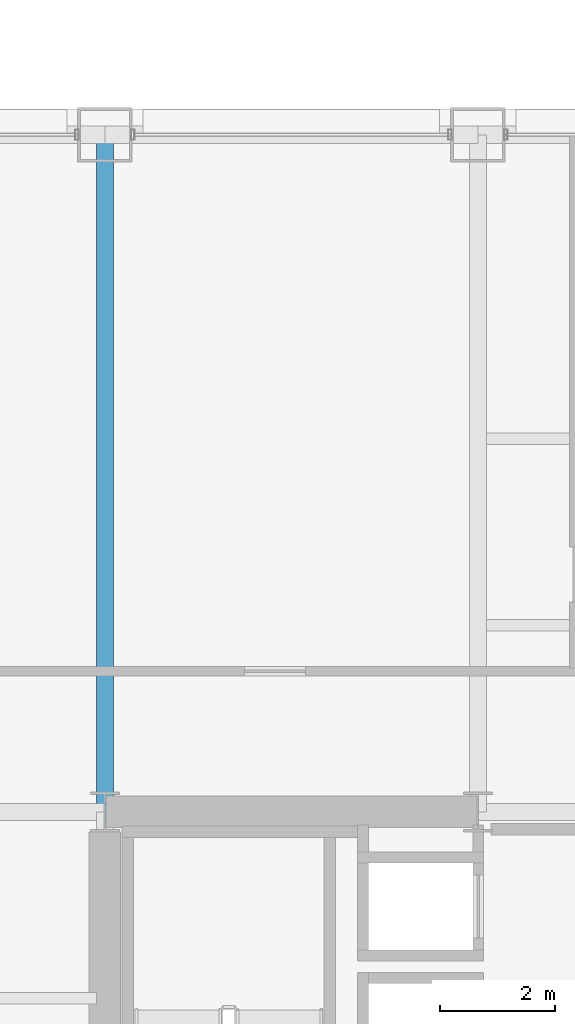
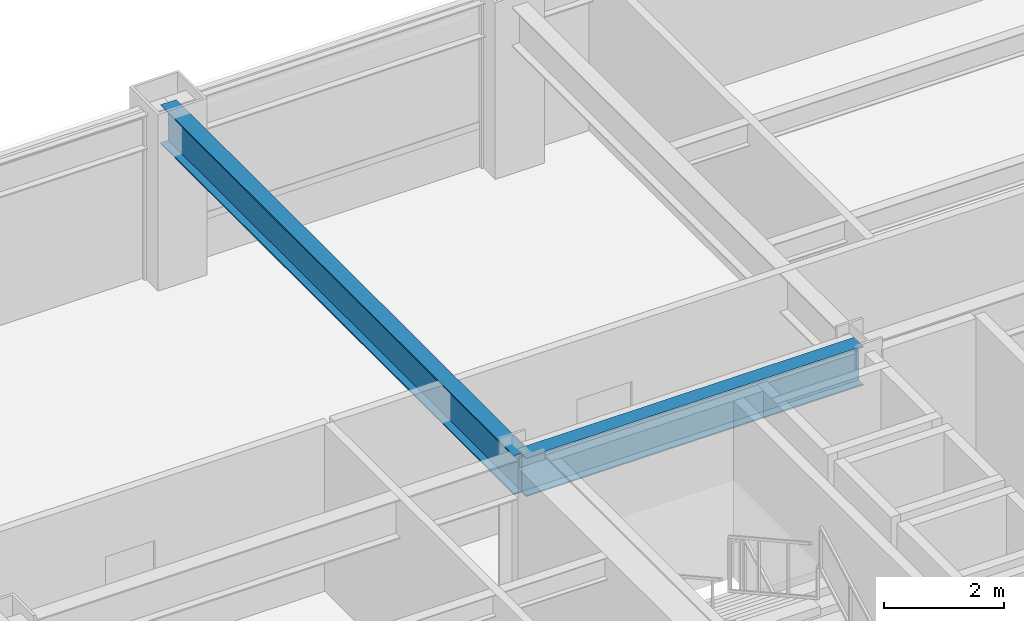
# One storey, part 16 of 31: 2 beams.
"""IFC4 building model written with IfcOpenShell, lengths in metres."""

from ifc_helpers import new_model, si_unit, direction, frame, origin, origin_2d, place, context, subcontext, project, spatial, i_section, extrude, material, material_profile, profile_set, type_object, element, save


model = new_model("IFC4")

# Units and contexts
model_context = context("Model", 3, precision=1e-05, world=origin(), true_north=direction((0.0, 1.0)))
body_context = subcontext(model_context, "Body", "Model", "MODEL_VIEW")
ifc_project = project(units=[si_unit("LENGTHUNIT", "METRE"), si_unit("AREAUNIT", "SQUARE_METRE"), si_unit("VOLUMEUNIT", "CUBIC_METRE"), si_unit("PLANEANGLEUNIT", "RADIAN"), si_unit("MASSUNIT", "GRAM", prefix="KILO")], contexts=[model_context])

# Site, building, storey
site_placement = place(None, origin())
site = spatial("IfcSite", under=ifc_project, at=site_placement, CompositionType="ELEMENT")
building_placement = place(site_placement, origin())
building = spatial("IfcBuilding", under=site, at=building_placement, Name="Brelmoor Portico Tower", CompositionType="ELEMENT")
storey_placement = place(building_placement, frame((0.0, 0.0, 31.199951171875)))
storey = spatial("IfcBuildingStorey", under=building, at=storey_placement, Name="L07", CompositionType="ELEMENT", Elevation=31.199951171875)

# Beams
ifc_material = material(Name="Steel Q355B", Category="steel")
ifc_material_profile = material_profile(ifc_material, i_section(OverallWidth=0.300048828125, OverallDepth=0.800048828125, WebThickness=0.013916015625, FlangeThickness=0.02587890625, at=origin_2d()), Name="HN 800x300x14x26")
ifc_profile_set = profile_set([ifc_material_profile], Name="Steel Q355B")
beam_type = type_object("IfcBeamType", Name="BM-PG-800", PredefinedType="BEAM", material=ifc_profile_set)
beam_1_placement = place(storey_placement, frame((-14.550048828125, 9.75, 3.0), z_axis=(0.0, 1.0, 0.0), x_axis=(-1.0, 0.0, 0.0)))
element("IfcBeam", 1, at=beam_1_placement, inside=storey, type_object=beam_type, Name="L07 Primary Floor Girder PG-06", PredefinedType="BEAM", context=body_context, shape_type="SweptSolid", body=[
    extrude(i_section(OverallWidth=0.300048828125, OverallDepth=0.800048828125, WebThickness=0.013916015625, FlangeThickness=0.02587890625, at=origin_2d()), origin(), (0.0, 0.0, 1.0), 11.800048828125),
])
beam_2_placement = place(storey_placement, frame((-14.550048828125, 9.75, 3.0), z_axis=(1.0, 0.0, 0.0), x_axis=(0.0, 1.0, 0.0)))
element("IfcBeam", 2, at=beam_2_placement, inside=storey, type_object=beam_type, Name="L07 Primary Floor Girder PG-28", PredefinedType="BEAM", context=body_context, shape_type="SweptSolid", body=[
    extrude(i_section(OverallWidth=0.300048828125, OverallDepth=0.800048828125, WebThickness=0.013916015625, FlangeThickness=0.02587890625, at=origin_2d()), origin(), (0.0, 0.0, 1.0), 6.5),
])

save(model, "model.ifc")
